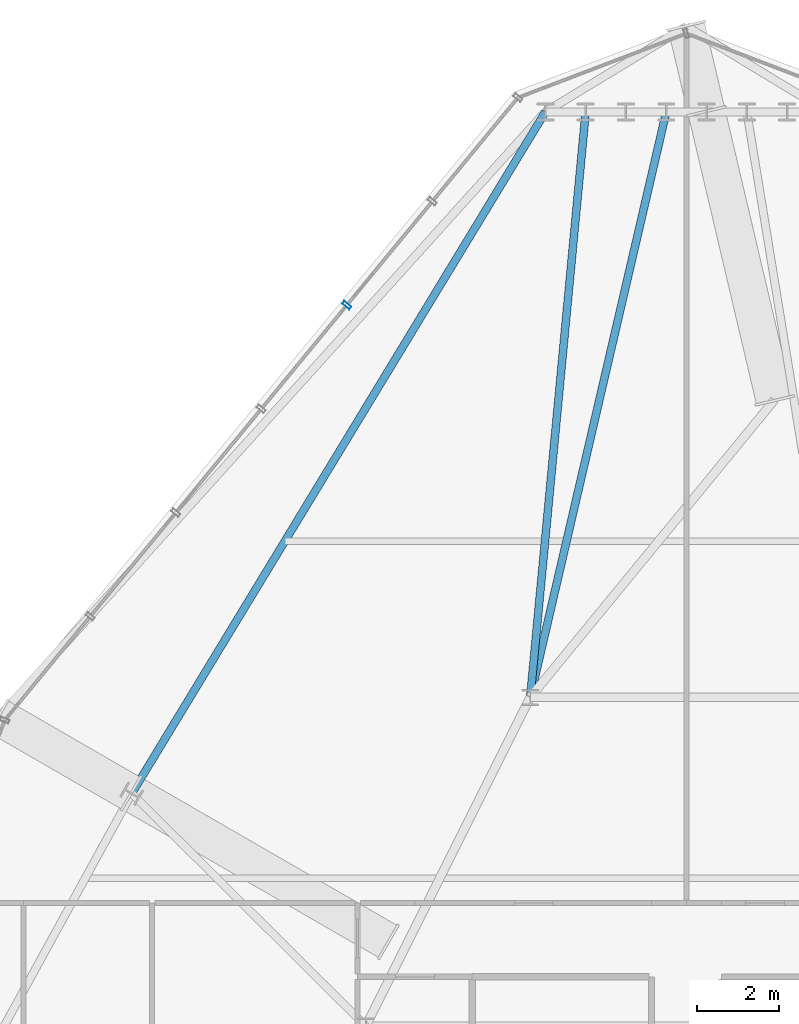
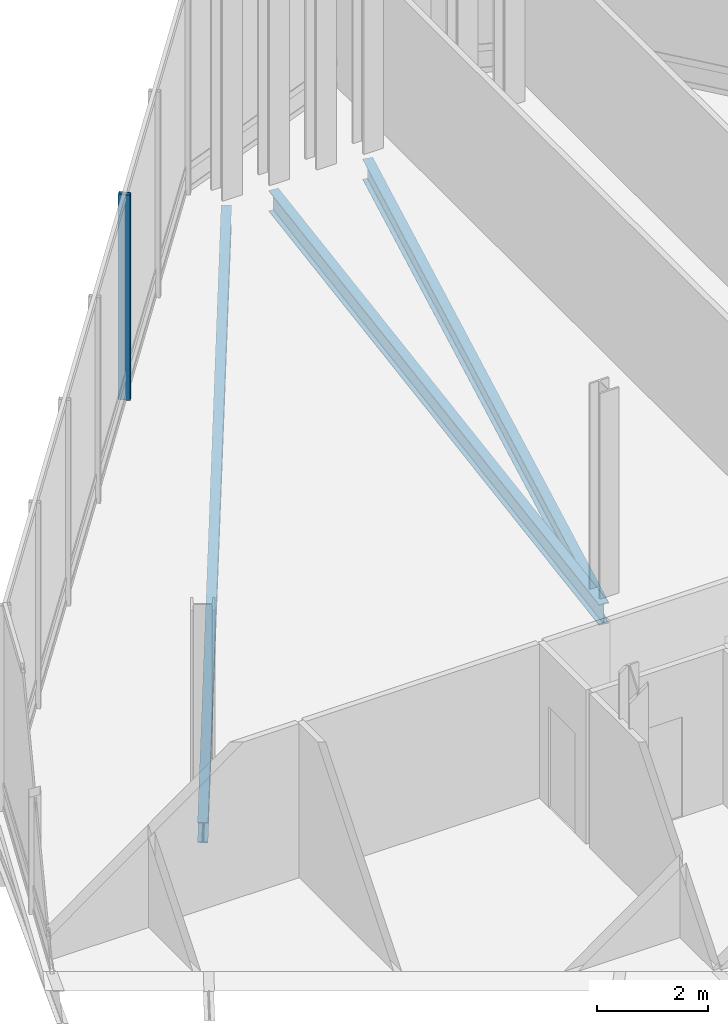
# One storey, part 16 of 29: 3 beams, 1 member, 1 element without a shape of its own.
"""IFC4 building model written with IfcOpenShell, lengths in metres."""

from ifc_helpers import new_model, si_unit, direction, frame, origin, origin_2d, place, context, subcontext, project, spatial, hollow_rectangle, i_section, extrude, material, layer, layer_set, material_profile, profile_set, type_object, element, aggregate, save


model = new_model("IFC4")

# Units and contexts
model_context = context("Model", 3, precision=1e-05, world=origin(), true_north=direction((0.0, 1.0)))
body_context = subcontext(model_context, "Body", "Model", "MODEL_VIEW")
ifc_project = project(units=[si_unit("LENGTHUNIT", "METRE"), si_unit("AREAUNIT", "SQUARE_METRE"), si_unit("VOLUMEUNIT", "CUBIC_METRE"), si_unit("PLANEANGLEUNIT", "RADIAN"), si_unit("MASSUNIT", "GRAM", prefix="KILO")], contexts=[model_context])

# Site, building, storey
site_placement = place(None, origin())
site = spatial("IfcSite", under=ifc_project, at=site_placement, CompositionType="ELEMENT")
building_placement = place(site_placement, origin())
building = spatial("IfcBuilding", under=site, at=building_placement, Name="Ndaravel Arena Tower", CompositionType="ELEMENT")
storey_placement = place(building_placement, frame((0.0, 0.0, 208.39990234375)))
storey = spatial("IfcBuildingStorey", under=building, at=storey_placement, Name="L50", CompositionType="ELEMENT", Elevation=208.39990234375)

# Beams
ifc_material_1 = material(Name="Steel S355", Category="steel")
ifc_material_profile_1 = material_profile(ifc_material_1, i_section(OverallWidth=0.19140625, OverallDepth=0.4599609375, WebThickness=0.010009765625, FlangeThickness=0.01611328125, FilletRadius=0.01025390625, at=origin_2d()), Name="UB 457x191x82")
ifc_profile_set_1 = profile_set([ifc_material_profile_1], Name="Steel S355")
beam_type_1 = type_object("IfcBeamType", Name="BM-GIRD-UB457", PredefinedType="BEAM", material=ifc_profile_set_1)
beam_1_placement = place(storey_placement, frame((41.509765625, 45.44482421875, -0.510009765625), z_axis=(-0.22632233436, -0.974052463151, 0.0), x_axis=(0.974052463151, -0.22632233436, 0.0)))
element("IfcBeam", 1, at=beam_1_placement, inside=storey, type_object=beam_type_1, Name="L50 Radial Floor Girder FG-15", PredefinedType="BEAM", context=body_context, shape_type="SweptSolid", body=[
    extrude(i_section(OverallWidth=0.19140625, OverallDepth=0.4599609375, WebThickness=0.010009765625, FlangeThickness=0.01611328125, FilletRadius=0.01025390625, at=origin_2d()), origin(), (0.0, 0.0, 1.0), 14.624267578125),
])
beam_2_placement = place(storey_placement, frame((39.548828125, 45.44482421875, -0.510009765625), z_axis=(-0.094270401693, -0.995546629428, 0.0), x_axis=(0.995546629428, -0.094270401693, 0.0)))
element("IfcBeam", 2, at=beam_2_placement, inside=storey, type_object=beam_type_1, Name="L50 Radial Floor Girder FG-17", PredefinedType="BEAM", context=body_context, shape_type="SweptSolid", body=[
    extrude(i_section(OverallWidth=0.19140625, OverallDepth=0.4599609375, WebThickness=0.010009765625, FlangeThickness=0.01611328125, FilletRadius=0.01025390625, at=origin_2d()), origin(), (0.0, 0.0, 1.0), 14.30859375),
])
ifc_material_2 = material(Name="Steel S355", Category="steel")
ifc_material_profile_2 = material_profile(ifc_material_2, i_section(OverallWidth=0.18994140625, OverallDepth=0.449951171875, WebThickness=0.009521484375, FlangeThickness=0.0146484375, FilletRadius=0.02099609375, at=origin_2d()), Name="IPE 450")
ifc_profile_set_2 = profile_set([ifc_material_profile_2], Name="Steel S355")
beam_type_2 = type_object("IfcBeamType", Name="BM-SPAN-IPE450", PredefinedType="SPANDREL", material=ifc_profile_set_2)
beam_3_placement = place(storey_placement, frame((38.568603515625, 45.44482421875, -0.5048828125), z_axis=(-0.518835945965, -0.854873827635, 0.0), x_axis=(0.854873827635, -0.518835945965, 0.0)))
element("IfcBeam", 3, at=beam_3_placement, inside=storey, type_object=beam_type_2, Name="L50 Perimeter Spandrel Beam SP-18", PredefinedType="SPANDREL", context=body_context, shape_type="SweptSolid", body=[
    extrude(i_section(OverallWidth=0.18994140625, OverallDepth=0.449951171875, WebThickness=0.009521484375, FlangeThickness=0.0146484375, FilletRadius=0.02099609375, at=origin_2d()), origin(), (0.0, 0.0, 1.0), 19.40185546875),
])

# Curtain wall, member
ifc_material_3 = material(Name="Aluminium", Category="aluminium")
ifc_layer = layer(ifc_material_3, 0.179931640625)
ifc_layer_set = layer_set([ifc_layer], Name="Aluminium")
curtain_wall_type = type_object("IfcCurtainWallType", Name="CW-SYS-04", PredefinedType="NOTDEFINED", material=ifc_layer_set)
curtain_wall_placement = place(storey_placement, origin())
curtain_wall = element("IfcCurtainWall", 4, at=curtain_wall_placement, inside=storey, type_object=curtain_wall_type, Name="L50 Faceted Crystal Curtain Wall CW-L50-E10", PredefinedType="NOTDEFINED")
ifc_material_4 = material(Name="Aluminium", Category="aluminium")
ifc_material_profile_3 = material_profile(ifc_material_4, hollow_rectangle(XDim=0.090087890625, YDim=0.219970703125, WallThickness=0.0048828125, at=origin_2d()), Name="CW MULLION 90x220x5")
ifc_profile_set_3 = profile_set([ifc_material_profile_3], Name="Aluminium")
member_type = type_object("IfcMemberType", Name="MEM-CW-MUL220", PredefinedType="MULLION", material=ifc_profile_set_3)
member_placement = place(storey_placement, frame((33.736083984375, 40.7412109375, 0.0), z_axis=(0.0, 0.0, 1.0), x_axis=(-0.636024349169, -0.771668988144, 0.0)))
member = element("IfcMember", 5, at=member_placement, type_object=member_type, Name="CW-L50-E10 Mullion 02", PredefinedType="MULLION", context=body_context, shape_type="SweptSolid", body=[
    extrude(hollow_rectangle(XDim=0.090087890625, YDim=0.219970703125, WallThickness=0.0048828125, at=origin_2d()), origin(), (0.0, 0.0, 1.0), 4.52001953125),
])
aggregate(curtain_wall, [member])

save(model, "model.ifc")
